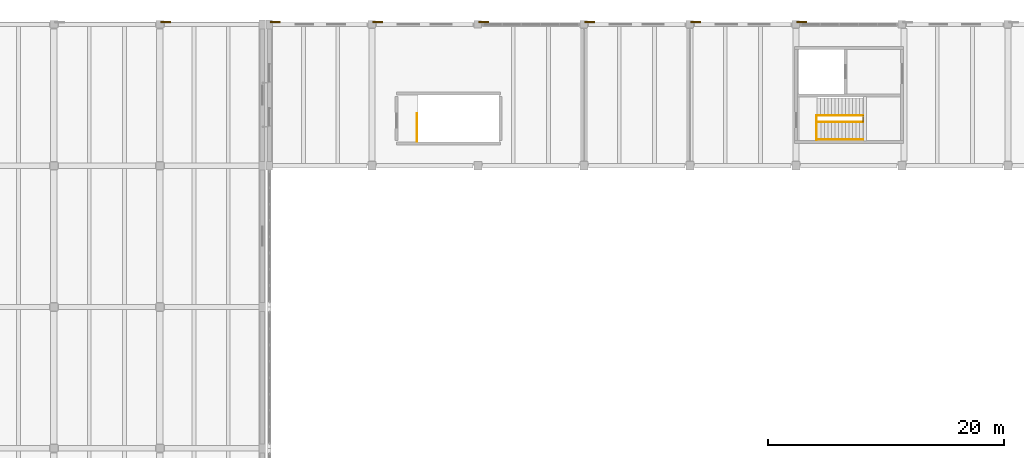
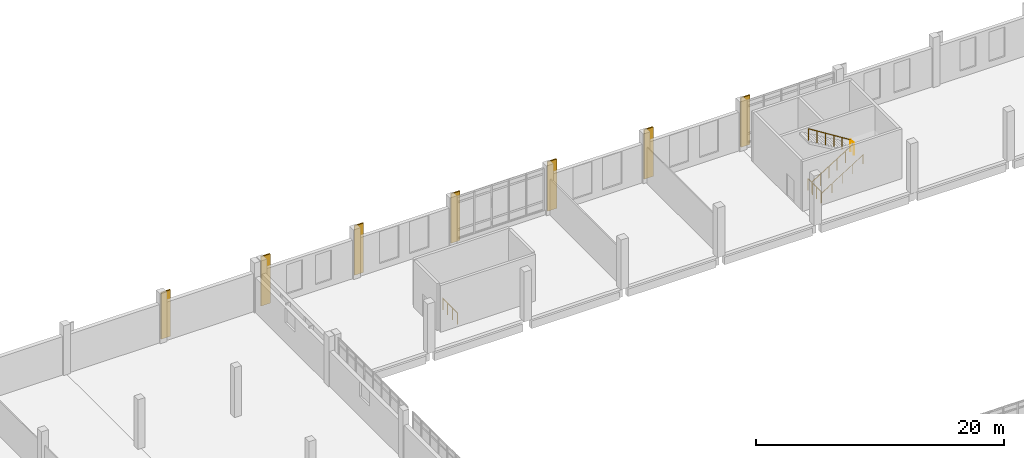
# One storey, part 109 of 110: 7 coverings, 6 railings.
"""IFC4 building model written with IfcOpenShell, lengths in metres."""

import ifcopenshell
import ifcopenshell.guid

model = None  # the IFC model being written
_history = None  # IfcOwnerHistory: only IFC2X3 demands one
_inside = {}  # id of a spatial element -> (the spatial element, [elements in it])
_under = {}  # id of a project, library or spatial element -> (it, [spatial elements below it])
_declared = {}  # id of a project -> (the project, [libraries it declares])
_typed = {}  # id of a type object -> (the type object, [elements of that type])
_made_of = {}  # id of a material, layer set ... -> (it, [elements and type objects made of it])


def new_model(schema):
    """Start an empty IFC model of exactly this schema.

    Asked for "IFC4X3", IfcOpenShell would pick the latest addendum, in which some entities
    have other attributes; the version numbers below select the first issue.
    IFC2X3 requires an IfcOwnerHistory on every rooted entity: one is made here for all.
    """
    global model, _history
    if schema == "IFC4X3":
        model = ifcopenshell.file(schema_version=(4, 3, 0, 0))
    else:
        model = ifcopenshell.file(schema=schema)
    _inside.clear()
    _under.clear()
    _declared.clear()
    _typed.clear()
    _made_of.clear()
    _history = None
    if model.schema == "IFC2X3":
        org = make("IfcOrganization", Name="unknown")
        user = make(
            "IfcPersonAndOrganization",
            ThePerson=make("IfcPerson", FamilyName="unknown"),
            TheOrganization=org,
        )
        app = make(
            "IfcApplication",
            ApplicationDeveloper=org,
            Version="unknown",
            ApplicationFullName="unknown",
            ApplicationIdentifier="unknown",
        )
        _history = make(
            "IfcOwnerHistory",
            OwningUser=user,
            OwningApplication=app,
            ChangeAction="ADDED",
            CreationDate=0,
        )
    return model


def make(cls, **values):
    """One entity of the class cls with the attributes given. An attribute that is None is left unset."""
    return model.create_entity(
        cls, **{name: value for name, value in values.items() if value is not None}
    )


def rooted(cls, **values):
    """An entity with a GlobalId (a new one), such as an element, a storey or a relation."""
    return make(cls, GlobalId=ifcopenshell.guid.new(), OwnerHistory=_history, **values)


def si_unit(unit_type, name, prefix=None):
    """IfcSIUnit, for example si_unit("LENGTHUNIT", "METRE", prefix="MILLI")."""
    return make("IfcSIUnit", UnitType=unit_type, Prefix=prefix, Name=name)


def assignment(units):
    """IfcUnitAssignment: the units of a project."""
    return None if units is None else make("IfcUnitAssignment", Units=units)


def point(xyz):
    """IfcCartesianPoint."""
    return None if xyz is None else make("IfcCartesianPoint", Coordinates=xyz)


def direction(xyz):
    """IfcDirection."""
    return None if xyz is None else make("IfcDirection", DirectionRatios=xyz)


def frame(location, z_axis=None, x_axis=None):
    """IfcAxis2Placement3D, a coordinate frame: its origin and axes. An axis left out is left unset."""
    return make(
        "IfcAxis2Placement3D",
        Location=point(location),
        Axis=direction(z_axis),
        RefDirection=direction(x_axis),
    )


def frame_2d(location, x_axis=None):
    """IfcAxis2Placement2D, a coordinate frame in the plane: its origin and x axis."""
    return make(
        "IfcAxis2Placement2D", Location=point(location), RefDirection=direction(x_axis)
    )


def origin():
    """The frame at (0, 0, 0) with its axes left unset."""
    return frame((0.0, 0.0, 0.0))


def origin_2d():
    """The frame at (0, 0) in the plane with its x axis left unset."""
    return frame_2d((0.0, 0.0))


def place(relative_to, where):
    """IfcLocalPlacement: puts the frame where relative to a parent placement (None: the world)."""
    return make(
        "IfcLocalPlacement", PlacementRelTo=relative_to, RelativePlacement=where
    )


def context(
    kind, dimensions, precision=None, world=None, true_north=None, identifier=None
):
    """IfcGeometricRepresentationContext, for example the 3D "Model" context."""
    return make(
        "IfcGeometricRepresentationContext",
        ContextIdentifier=identifier,
        ContextType=kind,
        CoordinateSpaceDimension=dimensions,
        Precision=precision,
        WorldCoordinateSystem=world,
        TrueNorth=true_north,
    )


def subcontext(parent, identifier, kind, view, scale=None):
    """IfcGeometricRepresentationSubContext, for example "Body" below "Model"."""
    return make(
        "IfcGeometricRepresentationSubContext",
        ContextIdentifier=identifier,
        ContextType=kind,
        ParentContext=parent,
        TargetScale=scale,
        TargetView=view,
    )


def project(units=None, contexts=None):
    """IfcProject with its units and contexts."""
    return rooted(
        "IfcProject",
        Name="project",
        RepresentationContexts=contexts,
        UnitsInContext=assignment(units),
    )


def spatial(cls, under=None, at=None, **own):
    """A site, building, storey or space (cls), placed at a placement, below another one or the project."""
    s = rooted(cls, ObjectPlacement=at, **own)
    if under is not None:
        _under.setdefault(under.id(), (under, []))[1].append(s)
    return s


def profile(cls, at=None, kind="AREA", **sizes):
    """A parametric profile (cls). Its sizes go by their IFC names, for example OverallWidth=200.0."""
    return make(cls, ProfileType=kind, Position=at, **sizes)


def rectangle(**sizes):
    """IfcRectangleProfileDef."""
    return profile("IfcRectangleProfileDef", **sizes)


def circle(**sizes):
    """IfcCircleProfileDef."""
    return profile("IfcCircleProfileDef", **sizes)


def extrude(swept, where, along, depth):
    """IfcExtrudedAreaSolid: the profile swept, set in the frame where, extruded along a direction by depth."""
    return make(
        "IfcExtrudedAreaSolid",
        SweptArea=swept,
        Position=where,
        ExtrudedDirection=direction(along),
        Depth=depth,
    )


def shape(context_of_items, identifier, shape_type, items):
    """IfcShapeRepresentation: the items that make up one representation, for example the "Body"."""
    return make(
        "IfcShapeRepresentation",
        ContextOfItems=context_of_items,
        RepresentationIdentifier=identifier,
        RepresentationType=shape_type,
        Items=items,
    )


def material(Name=None, Category=None):
    """IfcMaterial."""
    return make("IfcMaterial", Name=Name, Category=Category)


def layer(
    of_material, thickness, ventilated=None, Name=None, Category=None, Priority=None
):
    """IfcMaterialLayer: one layer of a wall or slab, of a material (None: an air gap)."""
    return make(
        "IfcMaterialLayer",
        Material=of_material,
        LayerThickness=thickness,
        IsVentilated=ventilated,
        Name=Name,
        Category=Category,
        Priority=Priority,
    )


def layer_set(layers, Name=None):
    """IfcMaterialLayerSet."""
    return make("IfcMaterialLayerSet", MaterialLayers=layers, LayerSetName=Name)


def made_of(thing, what):
    """Note that an element or type object is made of a material, layer set ...; save() writes the relation."""
    if what is not None:
        _made_of.setdefault(what.id(), (what, []))[1].append(thing)
    return thing


def type_object(cls, material=None, **own):
    """A type object (cls), such as IfcWallType, which elements share."""
    return made_of(rooted(cls, **own), material)


def element(
    cls,
    number,
    at=None,
    inside=None,
    cuts=None,
    type_object=None,
    material=None,
    context=None,
    identifier="Body",
    shape_type=None,
    held_by="IfcProductDefinitionShape",
    body=None,
    shapes=None,
    **own,
):
    """One element of the class cls, such as IfcWall. Its Tag is "e" and its number.

    at: its placement. inside: the storey or other place that contains it. cuts: it is an
    opening in that element (IfcRelVoidsElement). A single representation is given by context,
    identifier, shape_type and body (its items); several are given by shapes. held_by: the class
    of the entity that holds the representations. save() writes the other relations.
    """
    e = rooted(cls, Tag="e%d" % number, ObjectPlacement=at, **own)
    if body is not None:
        shapes = [shape(context, identifier, shape_type, body)]
    if shapes is not None:
        e.Representation = make(held_by, Representations=shapes)
    if inside is not None:
        _inside.setdefault(inside.id(), (inside, []))[1].append(e)
    if cuts is not None:
        rooted(
            "IfcRelVoidsElement", RelatingBuildingElement=cuts, RelatedOpeningElement=e
        )
    if type_object is not None:
        _typed.setdefault(type_object.id(), (type_object, []))[1].append(e)
    return made_of(e, material)


def aggregate(whole, parts):
    """IfcRelAggregates: a whole, such as a stair, and the parts it consists of."""
    return rooted("IfcRelAggregates", RelatingObject=whole, RelatedObjects=parts)


def save(model, path):
    """Write the relations noted so far, then the file.

    IfcRelAggregates (storeys below a building ...), IfcRelContainedInSpatialStructure (elements
    in a storey), IfcRelDefinesByType, IfcRelAssociatesMaterial and IfcRelDeclares: one each for
    every whole, place, type object, material and project.
    """
    for whole, parts in _under.values():
        aggregate(whole, parts)
    for where, things in _inside.values():
        rooted(
            "IfcRelContainedInSpatialStructure",
            RelatedElements=things,
            RelatingStructure=where,
        )
    for kind, things in _typed.values():
        rooted("IfcRelDefinesByType", RelatedObjects=things, RelatingType=kind)
    for what, things in _made_of.values():
        rooted("IfcRelAssociatesMaterial", RelatedObjects=things, RelatingMaterial=what)
    for by, libraries in _declared.values():
        rooted("IfcRelDeclares", RelatingContext=by, RelatedDefinitions=libraries)
    model.write(path)


model = new_model("IFC4")

# Units and contexts
model_context = context("Model", 3, precision=1e-05, world=origin(), true_north=direction((0.0, 1.0)))
body_context = subcontext(model_context, "Body", "Model", "MODEL_VIEW")
ifc_project = project(units=[si_unit("LENGTHUNIT", "METRE"), si_unit("AREAUNIT", "SQUARE_METRE"), si_unit("VOLUMEUNIT", "CUBIC_METRE"), si_unit("PLANEANGLEUNIT", "RADIAN"), si_unit("MASSUNIT", "GRAM", prefix="KILO")], contexts=[model_context])

# Site, building, storey
site_placement = place(None, origin())
site = spatial("IfcSite", under=ifc_project, at=site_placement, CompositionType="ELEMENT")
building_placement = place(site_placement, origin())
building = spatial("IfcBuilding", under=site, at=building_placement, Name="Zacnel Wholesale Market", CompositionType="ELEMENT")
storey_placement = place(building_placement, frame((0.0, 0.0, 6.300048828125)))
storey = spatial("IfcBuildingStorey", under=building, at=storey_placement, Name="L02", CompositionType="ELEMENT", Elevation=6.300048828125)

# Coverings
ifc_material_1 = material(Name="Honed Yucatan Maya cream limestone", Category="masonry")
ifc_layer = layer(ifc_material_1, 0.090087890625)
ifc_layer_set = layer_set([ifc_layer], Name="Honed Yucatan Maya cream limestone")
covering_type = type_object("IfcCoveringType", Name="COV-CLAD-FRET", PredefinedType="CLADDING", material=ifc_layer_set)
covering_placement = place(storey_placement, frame((63.47998046875, 144.2099609375, 0.02001953125), z_axis=(0.0, 0.0, 1.0), x_axis=(1.0, 0.0, 0.0)))
element("IfcCovering", 1, at=covering_placement, inside=storey, type_object=covering_type, Name="Fluted Mayan-Deco limestone pilaster L02-0101", PredefinedType="CLADDING", context=body_context, shape_type="SweptSolid", body=[
    extrude(rectangle(XDim=0.85009765625, YDim=0.1201171875, at=origin_2d()), origin(), (0.0, 0.0, 1.0), 4.580078125),
])
for number, where, z_axis, x_axis, name in (
    (2, (72.780029296875, 144.2099609375, 0.02001953125), (0.0, 0.0, 1.0), (1.0, 0.0, 0.0), "Fluted Mayan-Deco limestone pilaster L02-0143"),
    (3, (81.47998046875, 144.2099609375, 0.02001953125), (0.0, 0.0, 1.0), (1.0, 0.0, 0.0), "Fluted Mayan-Deco limestone pilaster L02-0144"),
    (4, (90.47998046875, 144.2099609375, 0.02001953125), (0.0, 0.0, 1.0), (1.0, 0.0, 0.0), "Fluted Mayan-Deco limestone pilaster L02-0145"),
    (5, (99.47998046875, 144.2099609375, 0.02001953125), (0.0, 0.0, 1.0), (1.0, 0.0, 0.0), "Fluted Mayan-Deco limestone pilaster L02-0146"),
    (6, (108.47998046875, 144.2099609375, 0.02001953125), (0.0, 0.0, 1.0), (1.0, 0.0, 0.0), "Fluted Mayan-Deco limestone pilaster L02-0147"),
    (7, (117.47998046875, 144.2099609375, 0.02001953125), (0.0, 0.0, 1.0), (1.0, 0.0, 0.0), "Fluted Mayan-Deco limestone pilaster L02-0148"),
):
    element("IfcCovering", number, at=place(storey_placement, frame(where, z_axis=z_axis, x_axis=x_axis)), inside=storey, type_object=covering_type, Name=name, PredefinedType="CLADDING", context=body_context, shape_type="SweptSolid", body=[
        extrude(rectangle(XDim=0.85009765625, YDim=0.1201171875, at=origin_2d()), origin(), (0.0, 0.0, 1.0), 4.860107421875),
    ])

# Railings
ifc_material_2 = material(Name="Galvanized steel", Category="steel")
railing_type_1 = type_object("IfcRailingType", Name="RAL-HANDRAIL-920", PredefinedType="HANDRAIL", material=ifc_material_2)
railing_1_placement = place(storey_placement, frame((118.81005859375, 134.2099609375, 0.0)))
element("IfcRailing", 8, at=railing_1_placement, inside=storey, type_object=railing_type_1, Name="Stair ST-28 wall handrail", PredefinedType="HANDRAIL", context=body_context, shape_type="SweptSolid", body=[
    extrude(circle(Radius=0.02099609375, at=origin_2d()), frame((0.0, 0.0, 0.89892578125), z_axis=(0.846775046443, 0.0, 0.531951145052), x_axis=(0.0, 1.0, 0.0)), (0.0, 0.0, 1.0), 4.605712890625),
    extrude(circle(Radius=0.01806640625, at=origin_2d()), origin(), (0.0, 0.0, 1.0), 0.8779296875),
    extrude(circle(Radius=0.01806640625, at=origin_2d()), frame((0.97509765625, 0.0, 0.612548828125)), (0.0, 0.0, 1.0), 0.8779296875),
    extrude(circle(Radius=0.01806640625, at=origin_2d()), frame((1.949951171875, 0.0, 1.22509765625)), (0.0, 0.0, 1.0), 0.8779296875),
    extrude(circle(Radius=0.01806640625, at=origin_2d()), frame((2.9248046875, 0.0, 1.83740234375)), (0.0, 0.0, 1.0), 0.8779296875),
    extrude(circle(Radius=0.01806640625, at=origin_2d()), frame((3.89990234375, 0.0, 2.449951171875)), (0.0, 0.0, 1.0), 0.8779296875),
])
ifc_material_3 = material(Name="Galvanized steel", Category="steel")
railing_type_2 = type_object("IfcRailingType", Name="RAL-STAIR-GD1150", PredefinedType="BALUSTRADE", material=ifc_material_3)
railing_2_placement = place(storey_placement, frame((118.75, 134.18994140625, 0.0)))
element("IfcRailing", 9, at=railing_2_placement, inside=storey, type_object=railing_type_2, Name="Stair balustrade INT-STAIR-ST-14-GDWELL-1", PredefinedType="BALUSTRADE", context=body_context, shape_type="SweptSolid", body=[
    extrude(circle(Radius=0.02392578125, at=origin_2d()), frame((0.0, 0.0, 1.1259765625), z_axis=(0.0, 1.0, 0.0), x_axis=(-1.0, 0.0, 0.0)), (0.0, 0.0, 1.0), 2.06005859375),
    extrude(circle(Radius=0.02099609375, at=origin_2d()), origin(), (0.0, 0.0, 1.0), 1.101806640625),
    extrude(circle(Radius=0.02099609375, at=origin_2d()), frame((0.0, 0.686767578125, 0.0)), (0.0, 0.0, 1.0), 1.101806640625),
    extrude(circle(Radius=0.02099609375, at=origin_2d()), frame((0.0, 1.373291015625, 0.0)), (0.0, 0.0, 1.0), 1.101806640625),
    extrude(circle(Radius=0.02099609375, at=origin_2d()), frame((0.0, 2.06005859375, 0.0)), (0.0, 0.0, 1.0), 1.101806640625),
])
railing_3_placement = place(storey_placement, frame((118.81005859375, 135.699951171875, 0.0)))
element("IfcRailing", 10, at=railing_3_placement, inside=storey, type_object=railing_type_2, Name="Stair balustrade INT-STAIR-ST-28-GDIN-1", PredefinedType="BALUSTRADE", context=body_context, shape_type="SweptSolid", body=[
    extrude(circle(Radius=0.02392578125, at=origin_2d()), frame((0.0, 0.0, 1.1259765625), z_axis=(0.846775046443, 0.0, 0.531951145052), x_axis=(0.0, 1.0, 0.0)), (0.0, 0.0, 1.0), 4.605712890625),
    extrude(circle(Radius=0.02099609375, at=origin_2d()), origin(), (0.0, 0.0, 1.0), 1.101806640625),
    extrude(circle(Radius=0.02099609375, at=origin_2d()), frame((0.780029296875, 0.0, 0.489990234375)), (0.0, 0.0, 1.0), 1.101806640625),
    extrude(circle(Radius=0.02099609375, at=origin_2d()), frame((1.56005859375, 0.0, 0.97998046875)), (0.0, 0.0, 1.0), 1.101806640625),
    extrude(circle(Radius=0.02099609375, at=origin_2d()), frame((2.33984375, 0.0, 1.469970703125)), (0.0, 0.0, 1.0), 1.101806640625),
    extrude(circle(Radius=0.02099609375, at=origin_2d()), frame((3.119873046875, 0.0, 1.9599609375)), (0.0, 0.0, 1.0), 1.101806640625),
    extrude(circle(Radius=0.02099609375, at=origin_2d()), frame((3.89990234375, 0.0, 2.449951171875)), (0.0, 0.0, 1.0), 1.101806640625),
])
railing_4_placement = place(storey_placement, frame((122.7099609375, 135.699951171875, 2.449951171875)))
element("IfcRailing", 11, at=railing_4_placement, inside=storey, type_object=railing_type_2, Name="Stair balustrade INT-STAIR-ST-28-GDIN-2", PredefinedType="BALUSTRADE", context=body_context, shape_type="SweptSolid", body=[
    extrude(circle(Radius=0.02392578125, at=origin_2d()), frame((0.0, 0.0, 1.1259765625), z_axis=(0.0, 1.0, 0.0), x_axis=(-1.0, 0.0, 0.0)), (0.0, 0.0, 1.0), 0.550048828125),
    extrude(circle(Radius=0.02099609375, at=origin_2d()), origin(), (0.0, 0.0, 1.0), 1.101806640625),
    extrude(circle(Radius=0.02099609375, at=origin_2d()), frame((0.0, 0.550048828125, 0.0)), (0.0, 0.0, 1.0), 1.101806640625),
])
railing_5_placement = place(storey_placement, frame((122.7099609375, 136.25, 2.449951171875)))
element("IfcRailing", 12, at=railing_5_placement, inside=storey, type_object=railing_type_2, Name="Stair balustrade INT-STAIR-ST-28-GDIN-3", PredefinedType="BALUSTRADE", context=body_context, shape_type="SweptSolid", body=[
    extrude(circle(Radius=0.02392578125, at=origin_2d()), frame((0.0, 0.0, 1.1259765625), z_axis=(-0.846775046443, 0.0, 0.531951145052), x_axis=(0.0, -1.0, 0.0)), (0.0, 0.0, 1.0), 4.605712890625),
    extrude(circle(Radius=0.02099609375, at=origin_2d()), origin(), (0.0, 0.0, 1.0), 1.101806640625),
    extrude(circle(Radius=0.02099609375, at=origin_2d()), frame((-0.780029296875, 0.0, 0.489990234375)), (0.0, 0.0, 1.0), 1.101806640625),
    extrude(circle(Radius=0.02099609375, at=origin_2d()), frame((-1.56005859375, 0.0, 0.97998046875)), (0.0, 0.0, 1.0), 1.101806640625),
    extrude(circle(Radius=0.02099609375, at=origin_2d()), frame((-2.33984375, 0.0, 1.469970703125)), (0.0, 0.0, 1.0), 1.101806640625),
    extrude(circle(Radius=0.02099609375, at=origin_2d()), frame((-3.119873046875, 0.0, 1.9599609375)), (0.0, 0.0, 1.0), 1.101806640625),
    extrude(circle(Radius=0.02099609375, at=origin_2d()), frame((-3.89990234375, 0.0, 2.449951171875)), (0.0, 0.0, 1.0), 1.101806640625),
])
railing_6_placement = place(storey_placement, frame((84.820068359375, 134.06005859375, 0.0)))
element("IfcRailing", 13, at=railing_6_placement, inside=storey, type_object=railing_type_2, Name="Stair balustrade INT-STAIR-ST-20-GDWELL-1", PredefinedType="BALUSTRADE", context=body_context, shape_type="SweptSolid", body=[
    extrude(circle(Radius=0.02392578125, at=origin_2d()), frame((0.0, 0.0, 1.1259765625), z_axis=(0.0, 1.0, 0.0), x_axis=(-1.0, 0.0, 0.0)), (0.0, 0.0, 1.0), 2.369873046875),
    extrude(circle(Radius=0.02099609375, at=origin_2d()), origin(), (0.0, 0.0, 1.0), 1.101806640625),
    extrude(circle(Radius=0.02099609375, at=origin_2d()), frame((0.0, 0.7900390625, 0.0)), (0.0, 0.0, 1.0), 1.101806640625),
    extrude(circle(Radius=0.02099609375, at=origin_2d()), frame((0.0, 1.579833984375, 0.0)), (0.0, 0.0, 1.0), 1.101806640625),
    extrude(circle(Radius=0.02099609375, at=origin_2d()), frame((0.0, 2.369873046875, 0.0)), (0.0, 0.0, 1.0), 1.101806640625),
])

save(model, "model.ifc")
